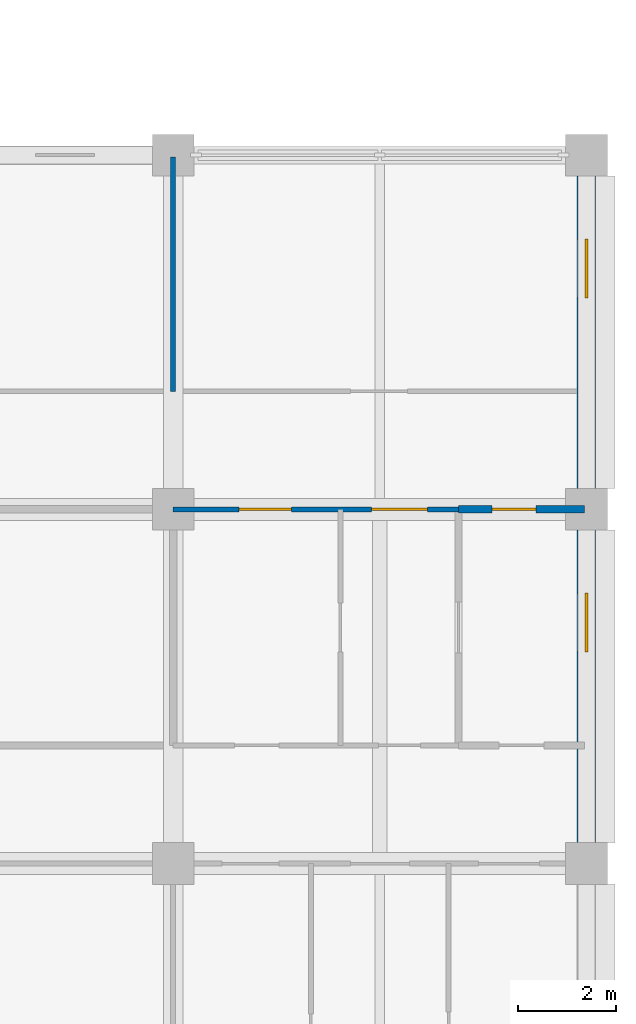
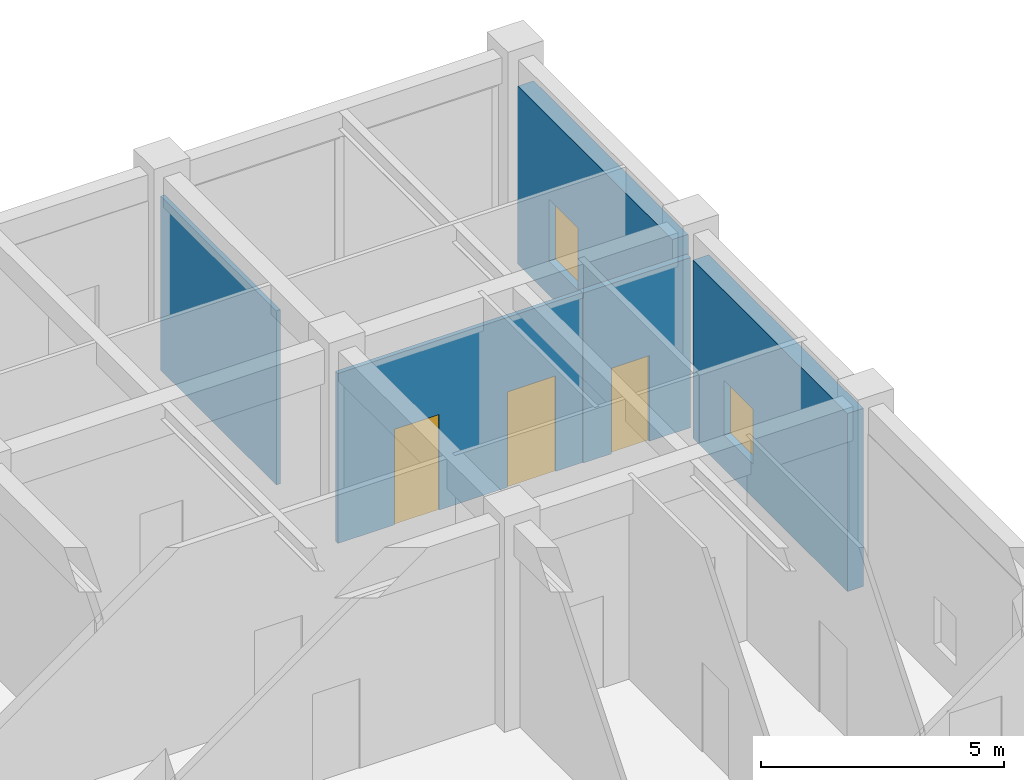
# One storey, part 59 of 68: 5 walls, 3 doors, 2 windows, 5 openings.
"""IFC4 building model written with IfcOpenShell, lengths in metres."""

from ifc_helpers import new_model, si_unit, direction, frame, frame_2d, origin, place, context, subcontext, project, spatial, rectangle, extrude, material, layer, layer_set, type_object, element, fill, save


model = new_model("IFC4")

# Units and contexts
model_context = context("Model", 3, precision=1e-05, world=origin(), true_north=direction((0.0, 1.0)))
body_context = subcontext(model_context, "Body", "Model", "MODEL_VIEW")
ifc_project = project(units=[si_unit("LENGTHUNIT", "METRE"), si_unit("AREAUNIT", "SQUARE_METRE"), si_unit("VOLUMEUNIT", "CUBIC_METRE"), si_unit("PLANEANGLEUNIT", "RADIAN"), si_unit("MASSUNIT", "GRAM", prefix="KILO")], contexts=[model_context])

# Site, building, storey
site_placement = place(None, origin())
site = spatial("IfcSite", under=ifc_project, at=site_placement, CompositionType="ELEMENT")
building_placement = place(site_placement, origin())
building = spatial("IfcBuilding", under=site, at=building_placement, Name="Chengyuan Square Courthouse", CompositionType="ELEMENT")
storey_placement = place(building_placement, frame((0.0, 0.0, 5.39990234375)))
storey = spatial("IfcBuildingStorey", under=building, at=storey_placement, Name="L02", CompositionType="ELEMENT", Elevation=5.39990234375)

# Wall, opening, window
ifc_material_1 = material(Name="Concrete C40", Category="concrete")
ifc_layer_1 = layer(ifc_material_1, 0.3798828125)
ifc_layer_set_1 = layer_set([ifc_layer_1], Name="Concrete C40")
wall_type_1 = type_object("IfcWallType", Name="WL-EW1", PredefinedType="STANDARD", material=ifc_layer_set_1)
wall_1_placement = place(storey_placement, frame((168.0, 94.02001953125, 0.0), z_axis=(0.0, 0.0, 1.0), x_axis=(0.0, 1.0, 0.0)))
wall_1 = element("IfcWall", 1, at=wall_1_placement, inside=storey, type_object=wall_type_1, Name="Exterior Wall WL-L02-E255", PredefinedType="STANDARD", context=body_context, shape_type="SweptSolid", body=[
    extrude(rectangle(XDim=6.35986328125, YDim=0.3798828125, at=frame_2d((3.179931640625, 0.0))), origin(), (0.0, 0.0, 1.0), 4.47021484375),
])
opening_1_placement = place(wall_1_placement, frame((3.8798828125, 0.0, 0.85009765625)))
opening_1 = element("IfcOpeningElement", 2, at=opening_1_placement, cuts=wall_1, Name="Opening WN-057", PredefinedType="OPENING", context=body_context, shape_type="SweptSolid", body=[
    extrude(rectangle(XDim=1.199951171875, YDim=1.3798828125, at=frame_2d((0.60009765625, 0.68994140625))), frame((0.0, 0.201904296875, 0.0), z_axis=(0.0, -1.0, 0.0), x_axis=(1.0, 0.0, 0.0)), (0.0, 0.0, 1.0), 0.40380859375),
])
ifc_material_2 = material(Name="Thermally Broken Aluminium Triple Low-E Window", Category="aluminium")
window_type_1 = type_object("IfcWindowType", Name="WT-14", PartitioningType="SINGLE_PANEL", PredefinedType="WINDOW", material=ifc_material_2)
window_1_placement = place(opening_1_placement, origin())
window_1 = element("IfcWindow", 3, at=window_1_placement, inside=storey, type_object=window_type_1, Name="Facade Window WN-057", OverallHeight=1.3798828125, OverallWidth=1.199951171875, PartitioningType="SINGLE_PANEL", PredefinedType="WINDOW", context=body_context, shape_type="SweptSolid", body=[
    extrude(rectangle(XDim=1.199951171875, YDim=1.3798828125, at=frame_2d((0.60009765625, 0.68994140625))), frame((0.0, 0.030029296875, 0.0), z_axis=(0.0, -1.0, 0.0), x_axis=(1.0, 0.0, 0.0)), (0.0, 0.0, 1.0), 0.06005859375),
])
fill(opening_1, window_1)

wall_2_placement = place(storey_placement, frame((168.0, 101.219970703125, 0.0), z_axis=(0.0, 0.0, 1.0), x_axis=(0.0, 1.0, 0.0)))
wall_2 = element("IfcWall", 4, at=wall_2_placement, inside=storey, type_object=wall_type_1, Name="Exterior Wall WL-L02-E256", PredefinedType="STANDARD", context=body_context, shape_type="SweptSolid", body=[
    extrude(rectangle(XDim=6.360107421875, YDim=0.3798828125, at=frame_2d((3.18017578125, 0.0))), origin(), (0.0, 0.0, 1.0), 4.47021484375),
])
opening_2_placement = place(wall_2_placement, frame((3.8798828125, 0.0, 0.85009765625)))
opening_2 = element("IfcOpeningElement", 5, at=opening_2_placement, cuts=wall_2, Name="Opening WN-058", PredefinedType="OPENING", context=body_context, shape_type="SweptSolid", body=[
    extrude(rectangle(XDim=1.199951171875, YDim=1.56005859375, at=frame_2d((0.60009765625, 0.780029296875))), frame((0.0, 0.201904296875, 0.0), z_axis=(0.0, -1.0, 0.0), x_axis=(1.0, 0.0, 0.0)), (0.0, 0.0, 1.0), 0.40380859375),
])
window_type_2 = type_object("IfcWindowType", Name="WT-15", PartitioningType="SINGLE_PANEL", PredefinedType="WINDOW", material=ifc_material_2)
window_2_placement = place(opening_2_placement, origin())
window_2 = element("IfcWindow", 6, at=window_2_placement, inside=storey, type_object=window_type_2, Name="Facade Window WN-058", OverallHeight=1.56005859375, OverallWidth=1.199951171875, PartitioningType="SINGLE_PANEL", PredefinedType="WINDOW", context=body_context, shape_type="SweptSolid", body=[
    extrude(rectangle(XDim=1.199951171875, YDim=1.56005859375, at=frame_2d((0.60009765625, 0.780029296875))), frame((0.0, 0.030029296875, 0.0), z_axis=(0.0, -1.0, 0.0), x_axis=(1.0, 0.0, 0.0)), (0.0, 0.0, 1.0), 0.06005859375),
])
fill(opening_2, window_2)

# Wall, opening, door
ifc_material_3 = material(Name="Deliberation Room Sound-Insulated Partition")
ifc_layer_2 = layer(ifc_material_3, 0.14990234375)
ifc_layer_set_2 = layer_set([ifc_layer_2], Name="Deliberation Room Sound-Insulated Partition")
wall_type_2 = type_object("IfcWallType", Name="WL-PT3", PredefinedType="STANDARD", material=ifc_layer_set_2)
wall_3_placement = place(storey_placement, frame((165.39990234375, 100.800048828125, 0.0), z_axis=(0.0, 0.0, 1.0), x_axis=(1.0, 0.0, 0.0)))
wall_3 = element("IfcWall", 7, at=wall_3_placement, inside=storey, type_object=wall_type_2, Name="Interior Wall WL-L02-I1151", PredefinedType="STANDARD", context=body_context, shape_type="SweptSolid", body=[
    extrude(rectangle(XDim=2.56005859375, YDim=0.14990234375, at=frame_2d((1.280029296875, 0.0))), origin(), (0.0, 0.0, 1.0), 4.27001953125),
])
opening_3_placement = place(wall_3_placement, frame((0.677490234375, 0.0, 0.0)))
opening_3 = element("IfcOpeningElement", 8, at=opening_3_placement, cuts=wall_3, Name="Opening DR-1103", PredefinedType="OPENING", context=body_context, shape_type="SweptSolid", body=[
    extrude(rectangle(XDim=0.89990234375, YDim=2.14990234375, at=frame_2d((0.449951171875, 1.074951171875))), frame((0.0, 0.0869140625, 0.0), z_axis=(0.0, -1.0, 0.0), x_axis=(1.0, 0.0, 0.0)), (0.0, 0.0, 1.0), 0.173828125),
])
ifc_material_4 = material(Name="Acoustic Solid-Core Timber Door", Category="wood")
door_type_1 = type_object("IfcDoorType", Name="DT-27", OperationType="NOTDEFINED", PredefinedType="DOOR", material=ifc_material_4)
door_1_placement = place(opening_3_placement, origin())
door_1 = element("IfcDoor", 9, at=door_1_placement, inside=storey, type_object=door_type_1, Name="Interior Door DR-1103", OperationType="SINGLE_SWING_RIGHT", OverallHeight=2.14990234375, OverallWidth=0.89990234375, PredefinedType="DOOR", context=body_context, shape_type="SweptSolid", body=[
    extrude(rectangle(XDim=0.89990234375, YDim=2.14990234375, at=frame_2d((0.449951171875, 1.074951171875))), frame((0.0, 0.02490234375, 0.0), z_axis=(0.0, -1.0, 0.0), x_axis=(1.0, 0.0, 0.0)), (0.0, 0.0, 1.0), 0.050048828125),
])
fill(opening_3, door_1)

# Wall, openings, doors
ifc_material_5 = material(Name="Gypsum Plasterboard Acoustic Stud Partition")
ifc_layer_3 = layer(ifc_material_5, 0.10009765625)
ifc_layer_set_3 = layer_set([ifc_layer_3], Name="Gypsum Plasterboard Acoustic Stud Partition")
wall_type_3 = type_object("IfcWallType", Name="WL-PT6", PredefinedType="STANDARD", material=ifc_layer_set_3)
wall_4_placement = place(storey_placement, frame((159.60009765625, 100.800048828125, 0.0), z_axis=(0.0, 0.0, 1.0), x_axis=(1.0, 0.0, 0.0)))
wall_4 = element("IfcWall", 10, at=wall_4_placement, inside=storey, type_object=wall_type_3, Name="Interior Wall WL-L02-I1150", PredefinedType="STANDARD", context=body_context, shape_type="SweptSolid", body=[
    extrude(rectangle(XDim=5.7998046875, YDim=0.10009765625, at=frame_2d((2.89990234375, 0.0))), origin(), (0.0, 0.0, 1.0), 4.27001953125),
])
opening_4_placement = place(wall_4_placement, frame((1.342529296875, 0.0, 0.0)))
opening_4 = element("IfcOpeningElement", 11, at=opening_4_placement, cuts=wall_4, Name="Opening DR-1101", PredefinedType="OPENING", context=body_context, shape_type="SweptSolid", body=[
    extrude(rectangle(XDim=1.06005859375, YDim=2.39990234375, at=frame_2d((0.530029296875, 1.199951171875))), frame((0.0, 0.06201171875, 0.0), z_axis=(0.0, -1.0, 0.0), x_axis=(1.0, 0.0, 0.0)), (0.0, 0.0, 1.0), 0.1240234375),
])
opening_5_placement = place(wall_4_placement, frame((4.030029296875, 0.0, 0.0)))
opening_5 = element("IfcOpeningElement", 12, at=opening_5_placement, cuts=wall_4, Name="Opening DR-1102", PredefinedType="OPENING", context=body_context, shape_type="SweptSolid", body=[
    extrude(rectangle(XDim=1.139892578125, YDim=2.39990234375, at=frame_2d((0.56982421875, 1.199951171875))), frame((0.0, 0.06201171875, 0.0), z_axis=(0.0, -1.0, 0.0), x_axis=(1.0, 0.0, 0.0)), (0.0, 0.0, 1.0), 0.1240234375),
])
door_type_2 = type_object("IfcDoorType", Name="DT-42", OperationType="NOTDEFINED", PredefinedType="DOOR", material=ifc_material_4)
door_2_placement = place(opening_4_placement, origin())
door_2 = element("IfcDoor", 13, at=door_2_placement, inside=storey, type_object=door_type_2, Name="Interior Door DR-1101", OperationType="SINGLE_SWING_RIGHT", OverallHeight=2.39990234375, OverallWidth=1.06005859375, PredefinedType="DOOR", context=body_context, shape_type="SweptSolid", body=[
    extrude(rectangle(XDim=1.06005859375, YDim=2.39990234375, at=frame_2d((0.530029296875, 1.199951171875))), frame((0.0, 0.02490234375, 0.0), z_axis=(0.0, -1.0, 0.0), x_axis=(1.0, 0.0, 0.0)), (0.0, 0.0, 1.0), 0.050048828125),
])
fill(opening_4, door_2)
door_type_3 = type_object("IfcDoorType", Name="DT-43", OperationType="NOTDEFINED", PredefinedType="DOOR", material=ifc_material_4)
door_3_placement = place(opening_5_placement, origin())
door_3 = element("IfcDoor", 14, at=door_3_placement, inside=storey, type_object=door_type_3, Name="Interior Door DR-1102", OperationType="SINGLE_SWING_LEFT", OverallHeight=2.39990234375, OverallWidth=1.139892578125, PredefinedType="DOOR", context=body_context, shape_type="SweptSolid", body=[
    extrude(rectangle(XDim=1.139892578125, YDim=2.39990234375, at=frame_2d((0.56982421875, 1.199951171875))), frame((0.0, 0.02490234375, 0.0), z_axis=(0.0, -1.0, 0.0), x_axis=(1.0, 0.0, 0.0)), (0.0, 0.0, 1.0), 0.050048828125),
])
fill(opening_5, door_3)

# Wall
wall_5_placement = place(storey_placement, frame((159.60009765625, 103.199951171875, 0.0), z_axis=(0.0, 0.0, 1.0), x_axis=(0.0, 1.0, 0.0)))
element("IfcWall", 15, at=wall_5_placement, inside=storey, type_object=wall_type_3, Name="Interior Wall WL-L02-I1382", PredefinedType="STANDARD", context=body_context, shape_type="SweptSolid", body=[
    extrude(rectangle(XDim=4.760009765625, YDim=0.10009765625, at=frame_2d((2.3798828125, 0.0))), origin(), (0.0, 0.0, 1.0), 4.3701171875),
])

save(model, "model.ifc")
